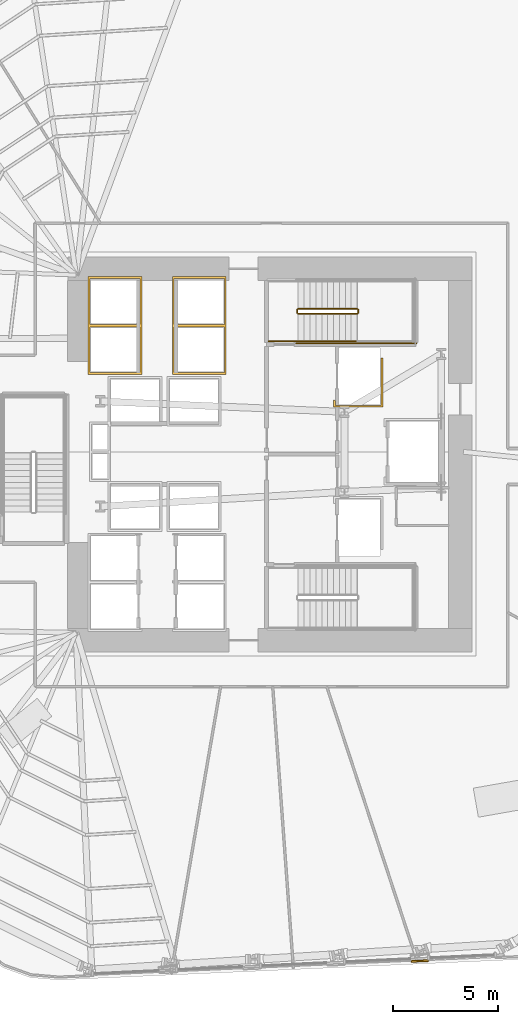
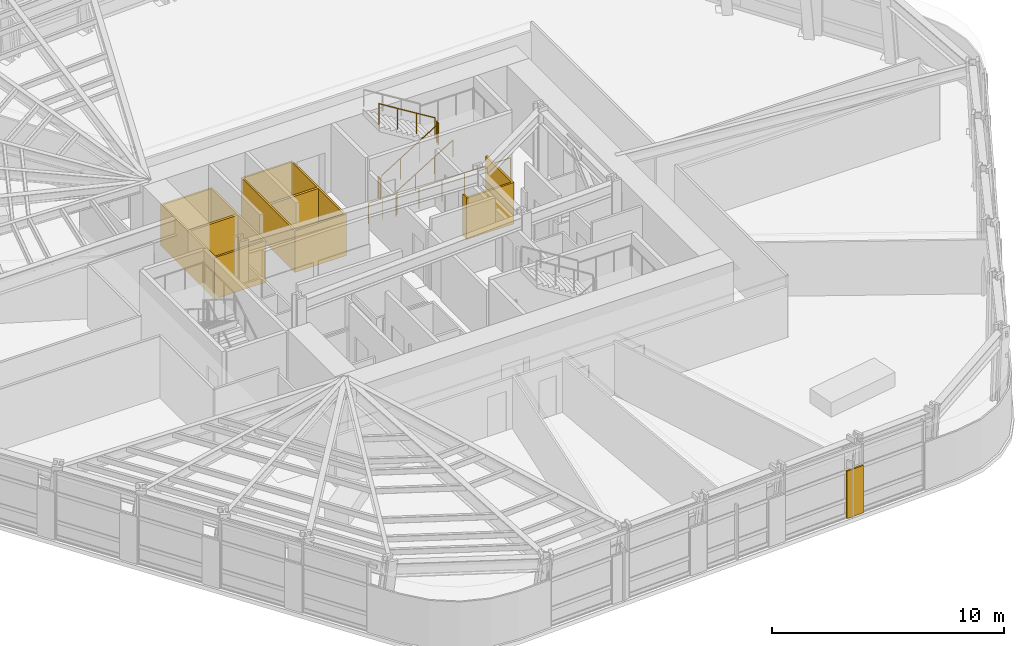
# One storey, part 12 of 15: 7 railings, 4 coverings.
"""IFC4 building model written with IfcOpenShell, lengths in metres."""

from ifc_helpers import new_model, si_unit, direction, frame, origin, origin_2d, place, context, subcontext, project, spatial, polyline, circle, outline, extrude, material, layer, layer_set, type_object, element, save


model = new_model("IFC4")

# Units and contexts
model_context = context("Model", 3, precision=1e-05, world=origin(), true_north=direction((0.0, 1.0)))
body_context = subcontext(model_context, "Body", "Model", "MODEL_VIEW")
ifc_project = project(units=[si_unit("LENGTHUNIT", "METRE"), si_unit("AREAUNIT", "SQUARE_METRE"), si_unit("VOLUMEUNIT", "CUBIC_METRE"), si_unit("PLANEANGLEUNIT", "RADIAN"), si_unit("MASSUNIT", "GRAM", prefix="KILO")], contexts=[model_context])

# Site, building, storey
site_placement = place(None, origin())
site = spatial("IfcSite", under=ifc_project, at=site_placement, CompositionType="ELEMENT")
building_placement = place(site_placement, origin())
building = spatial("IfcBuilding", under=site, at=building_placement, Name="Valkerne Bourse Tower", CompositionType="ELEMENT")
storey_placement = place(building_placement, frame((0.0, 0.0, 35.39990234375)))
storey = spatial("IfcBuildingStorey", under=building, at=storey_placement, Name="L08", CompositionType="ELEMENT", Elevation=35.39990234375)

# Coverings
ifc_material_1 = material(Name="Bronze Anodised Aluminium AA 6063-T6", Category="aluminium")
ifc_layer_1 = layer(ifc_material_1, 0.06005859375)
ifc_layer_set_1 = layer_set([ifc_layer_1], Name="Bronze Anodised Aluminium AA 6063-T6")
covering_type_1 = type_object("IfcCoveringType", Name="COV-CRN-ALUM", PredefinedType="CLADDING", material=ifc_layer_set_1)
covering_1_placement = place(storey_placement, origin())
element("IfcCovering", 1, at=covering_1_placement, inside=storey, type_object=covering_type_1, Name="L08 Wind-Shaped Corner Aluminium Cladding 02", PredefinedType="CLADDING", context=body_context, shape_type="SweptSolid", body=[
    extrude(outline(polyline([(53.523681640625, 2.74951171875), (53.52001953125, 2.829345703125), (54.359375, 2.86669921875), (54.363037109375, 2.78662109375), (53.523681640625, 2.74951171875)])), origin(), (0.0, 0.0, 1.0), 2.5),
])
ifc_material_2 = material(Name="Gypsum Shaftwall Liner Board", Category="gypsum")
ifc_layer_2 = layer(ifc_material_2, 0.080078125)
ifc_layer_set_2 = layer_set([ifc_layer_2], Name="Gypsum Shaftwall Liner Board")
covering_type_2 = type_object("IfcCoveringType", Name="COV-SHF-CLAD", PredefinedType="CLADDING", material=ifc_layer_set_2)
covering_2_placement = place(storey_placement, origin())
element("IfcCovering", 2, at=covering_2_placement, inside=storey, type_object=covering_type_2, Name="L08 Hoistway & Riser Shaftwall Liner 05", PredefinedType="CLADDING", context=body_context, shape_type="SweptSolid", body=[
    extrude(outline(polyline([(38.169921875, 35.330078125), (40.72998046875, 35.330078125), (40.72998046875, 33.030029296875), (40.72998046875, 32.969970703125), (40.72998046875, 30.669921875), (38.169921875, 30.669921875), (38.169921875, 32.969970703125), (38.169921875, 33.030029296875), (38.169921875, 35.330078125)]), holes=[polyline([(38.260009765625, 32.93994140625), (38.260009765625, 30.760009765625), (40.639892578125, 30.760009765625), (40.639892578125, 32.93994140625), (38.260009765625, 32.93994140625)]), polyline([(38.260009765625, 35.239990234375), (38.260009765625, 33.06005859375), (40.639892578125, 33.06005859375), (40.639892578125, 35.239990234375), (38.260009765625, 35.239990234375)])]), origin(), (0.0, 0.0, 1.0), 2.18017578125),
])
covering_3_placement = place(storey_placement, origin())
element("IfcCovering", 3, at=covering_3_placement, inside=storey, type_object=covering_type_2, Name="L08 Hoistway & Riser Shaftwall Liner 10", PredefinedType="CLADDING", context=body_context, shape_type="SweptSolid", body=[
    extrude(outline(polyline([(49.820068359375, 29.1201171875), (49.820068359375, 29.468017578125), (49.827880859375, 29.46435546875), (49.869384765625, 29.449462890625), (49.909912109375, 29.439208984375), (49.909912109375, 29.2099609375), (52.090087890625, 29.2099609375), (52.090087890625, 31.449951171875), (52.179931640625, 31.449951171875), (52.179931640625, 29.1201171875), (49.820068359375, 29.1201171875)])), origin(), (0.0, 0.0, 1.0), 2.18017578125),
])
covering_4_placement = place(storey_placement, origin())
element("IfcCovering", 4, at=covering_4_placement, inside=storey, type_object=covering_type_2, Name="L08 Hoistway & Riser Shaftwall Liner 11", PredefinedType="CLADDING", context=body_context, shape_type="SweptSolid", body=[
    extrude(outline(polyline([(44.72998046875, 35.330078125), (44.72998046875, 33.030029296875), (44.72998046875, 32.969970703125), (44.72998046875, 30.669921875), (42.169921875, 30.669921875), (42.169921875, 32.969970703125), (42.169921875, 33.030029296875), (42.169921875, 35.330078125), (44.72998046875, 35.330078125)]), holes=[polyline([(42.260009765625, 30.760009765625), (44.639892578125, 30.760009765625), (44.639892578125, 32.93994140625), (42.260009765625, 32.93994140625), (42.260009765625, 30.760009765625)]), polyline([(42.260009765625, 33.06005859375), (44.639892578125, 33.06005859375), (44.639892578125, 35.239990234375), (42.260009765625, 35.239990234375), (42.260009765625, 33.06005859375)])]), origin(), (0.0, 0.0, 1.0), 2.18017578125),
])

# Railings
ifc_material_3 = material(Name="Galvanised Painted Steel", Category="steel")
railing_type_1 = type_object("IfcRailingType", Name="RLG-ST-GUARD-1120", PredefinedType="GUARDRAIL", material=ifc_material_3)
railing_1_placement = place(storey_placement, frame((48.14990234375, 33.550048828125, 0.1728515625)))
element("IfcRailing", 5, at=railing_1_placement, inside=storey, type_object=railing_type_1, Name="L08 ST-2 stair guard 1", PredefinedType="GUARDRAIL", context=body_context, shape_type="SweptSolid", body=[
    extrude(circle(Radius=0.02392578125, at=origin_2d()), frame((0.0, 0.0, 1.09619140625), z_axis=(0.851089632645, 0.0, 0.525020415988), x_axis=(0.0, 1.0, 0.0)), (0.0, 0.0, 1.0), 3.2900390625),
    extrude(circle(Radius=0.02099609375, at=origin_2d()), origin(), (0.0, 0.0, 1.0), 1.072021484375),
    extrude(circle(Radius=0.02099609375, at=origin_2d()), frame((0.933349609375, 0.0, 0.57568359375)), (0.0, 0.0, 1.0), 1.072021484375),
    extrude(circle(Radius=0.02099609375, at=origin_2d()), frame((1.86669921875, 0.0, 1.151611328125)), (0.0, 0.0, 1.0), 1.072021484375),
    extrude(circle(Radius=0.02099609375, at=origin_2d()), frame((2.800048828125, 0.0, 1.727294921875)), (0.0, 0.0, 1.0), 1.072021484375),
])
railing_2_placement = place(storey_placement, frame((51.0, 33.60009765625, 1.900146484375)))
element("IfcRailing", 6, at=railing_2_placement, inside=storey, type_object=railing_type_1, Name="L08 ST-2 stair guard 2", PredefinedType="GUARDRAIL", context=body_context, shape_type="SweptSolid", body=[
    extrude(circle(Radius=0.02392578125, at=origin_2d()), frame((0.0, 0.0, 1.09619140625), z_axis=(0.0, 1.0, 0.0), x_axis=(-1.0, 0.0, 0.0)), (0.0, 0.0, 1.0), 0.14990234375),
    extrude(circle(Radius=0.02099609375, at=origin_2d()), origin(), (0.0, 0.0, 1.0), 1.072021484375),
    extrude(circle(Radius=0.02099609375, at=origin_2d()), frame((0.0, 0.14990234375, 0.0)), (0.0, 0.0, 1.0), 1.072021484375),
])
railing_3_placement = place(storey_placement, frame((50.949951171875, 33.800048828125, 2.07275390625)))
element("IfcRailing", 7, at=railing_3_placement, inside=storey, type_object=railing_type_1, Name="L08 ST-2 stair guard 6", PredefinedType="GUARDRAIL", context=body_context, shape_type="SweptSolid", body=[
    extrude(circle(Radius=0.02392578125, at=origin_2d()), frame((0.0, 0.0, 1.09619140625), z_axis=(-0.851089632645, 0.0, 0.525020415988), x_axis=(0.0, -1.0, 0.0)), (0.0, 0.0, 1.0), 3.2900390625),
    extrude(circle(Radius=0.02099609375, at=origin_2d()), origin(), (0.0, 0.0, 1.0), 1.072021484375),
    extrude(circle(Radius=0.02099609375, at=origin_2d()), frame((-0.933349609375, 0.0, 0.57568359375)), (0.0, 0.0, 1.0), 1.072021484375),
    extrude(circle(Radius=0.02099609375, at=origin_2d()), frame((-1.86669921875, 0.0, 1.151611328125)), (0.0, 0.0, 1.0), 1.072021484375),
    extrude(circle(Radius=0.02099609375, at=origin_2d()), frame((-2.800048828125, 0.0, 1.727294921875)), (0.0, 0.0, 1.0), 1.072021484375),
])
railing_4_placement = place(storey_placement, frame((48.10009765625, 33.60009765625, 0.0)))
element("IfcRailing", 8, at=railing_4_placement, inside=storey, type_object=railing_type_1, Name="L08 ST-2 stair guard 7", PredefinedType="GUARDRAIL", context=body_context, shape_type="SweptSolid", body=[
    extrude(circle(Radius=0.02392578125, at=origin_2d()), frame((0.0, 0.0, 1.09619140625), z_axis=(0.0, 1.0, 0.0), x_axis=(-1.0, 0.0, 0.0)), (0.0, 0.0, 1.0), 0.14990234375),
    extrude(circle(Radius=0.02099609375, at=origin_2d()), origin(), (0.0, 0.0, 1.0), 1.072021484375),
    extrude(circle(Radius=0.02099609375, at=origin_2d()), frame((0.0, 0.14990234375, 0.0)), (0.0, 0.0, 1.0), 1.072021484375),
])
railing_5_placement = place(storey_placement, frame((46.75, 32.25, 0.0)))
element("IfcRailing", 9, at=railing_5_placement, inside=storey, type_object=railing_type_1, Name="L08 ST-2 stair guard 8", PredefinedType="GUARDRAIL", context=body_context, shape_type="SweptSolid", body=[
    extrude(circle(Radius=0.02392578125, at=origin_2d()), frame((0.0, 0.0, 1.09619140625), z_axis=(1.0, 0.0, 0.0), x_axis=(0.0, 1.0, 0.0)), (0.0, 0.0, 1.0), 1.39990234375),
    extrude(circle(Radius=0.02099609375, at=origin_2d()), origin(), (0.0, 0.0, 1.0), 1.072021484375),
    extrude(circle(Radius=0.02099609375, at=origin_2d()), frame((0.699951171875, 0.0, 0.0)), (0.0, 0.0, 1.0), 1.072021484375),
    extrude(circle(Radius=0.02099609375, at=origin_2d()), frame((1.39990234375, 0.0, 0.0)), (0.0, 0.0, 1.0), 1.072021484375),
])
railing_6_placement = place(storey_placement, frame((48.050048828125, 32.14990234375, 0.0)))
element("IfcRailing", 10, at=railing_6_placement, inside=storey, type_object=railing_type_1, Name="L08 ST-2 stair guard 10", PredefinedType="GUARDRAIL", context=body_context, shape_type="SweptSolid", body=[
    extrude(circle(Radius=0.02392578125, at=origin_2d()), frame((0.0, 0.0, 1.09619140625), z_axis=(1.0, 0.0, 0.0), x_axis=(0.0, 1.0, 0.0)), (0.0, 0.0, 1.0), 5.699951171875),
    extrude(circle(Radius=0.02099609375, at=origin_2d()), origin(), (0.0, 0.0, 1.0), 1.072021484375),
    extrude(circle(Radius=0.02099609375, at=origin_2d()), frame((1.139892578125, 0.0, 0.0)), (0.0, 0.0, 1.0), 1.072021484375),
    extrude(circle(Radius=0.02099609375, at=origin_2d()), frame((2.280029296875, 0.0, 0.0)), (0.0, 0.0, 1.0), 1.072021484375),
    extrude(circle(Radius=0.02099609375, at=origin_2d()), frame((3.419921875, 0.0, 0.0)), (0.0, 0.0, 1.0), 1.072021484375),
    extrude(circle(Radius=0.02099609375, at=origin_2d()), frame((4.56005859375, 0.0, 0.0)), (0.0, 0.0, 1.0), 1.072021484375),
    extrude(circle(Radius=0.02099609375, at=origin_2d()), frame((5.699951171875, 0.0, 0.0)), (0.0, 0.0, 1.0), 1.072021484375),
])
ifc_material_4 = material(Name="Stainless Steel AISI 316", Category="steel")
railing_type_2 = type_object("IfcRailingType", Name="RLG-ST-HANDRAIL-900", PredefinedType="HANDRAIL", material=ifc_material_4)
railing_7_placement = place(storey_placement, frame((48.14990234375, 32.25, 0.345458984375)))
element("IfcRailing", 11, at=railing_7_placement, inside=storey, type_object=railing_type_2, Name="L08 ST-2 stair handrail 1", PredefinedType="HANDRAIL", context=body_context, shape_type="SweptSolid", body=[
    extrude(circle(Radius=0.02392578125, at=origin_2d()), frame((0.0, 0.0, 0.8759765625), z_axis=(0.851089632645, 0.0, 0.525020415988), x_axis=(0.0, 1.0, 0.0)), (0.0, 0.0, 1.0), 3.2900390625),
    extrude(circle(Radius=0.02099609375, at=origin_2d()), origin(), (0.0, 0.0, 1.0), 0.851806640625),
    extrude(circle(Radius=0.02099609375, at=origin_2d()), frame((0.933349609375, 0.0, 0.57568359375)), (0.0, 0.0, 1.0), 0.851806640625),
    extrude(circle(Radius=0.02099609375, at=origin_2d()), frame((1.86669921875, 0.0, 1.151611328125)), (0.0, 0.0, 1.0), 0.851806640625),
    extrude(circle(Radius=0.02099609375, at=origin_2d()), frame((2.800048828125, 0.0, 1.727294921875)), (0.0, 0.0, 1.0), 0.851806640625),
])

save(model, "model.ifc")
